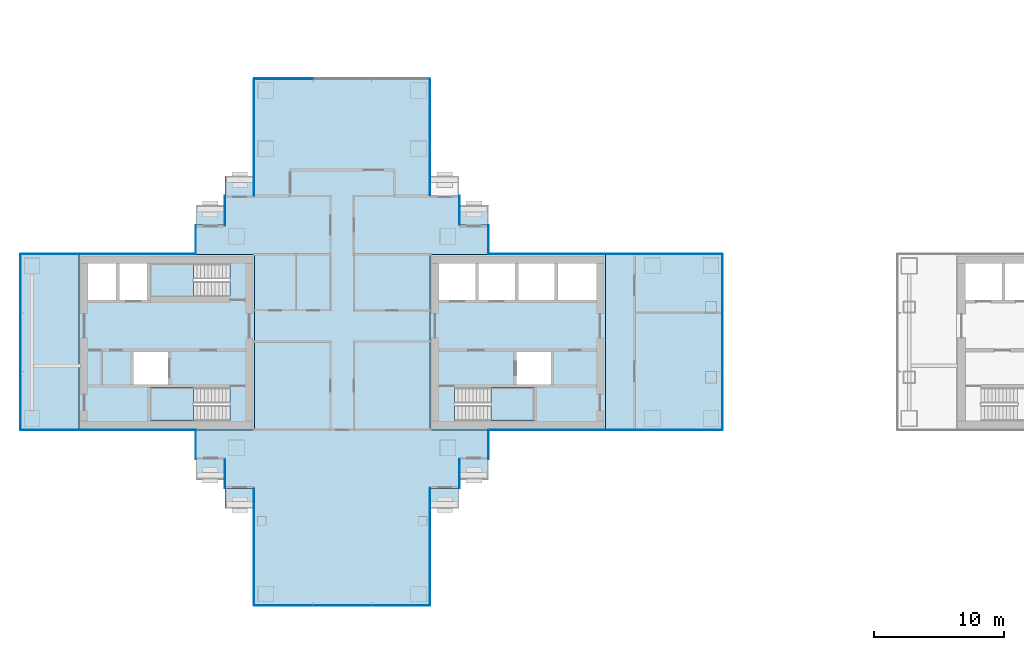
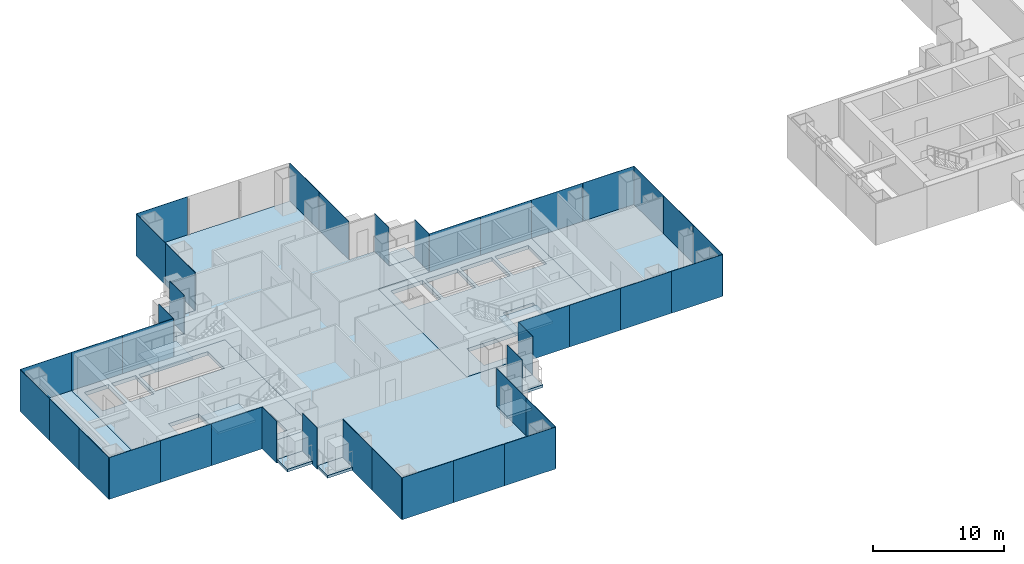
# One storey, part 9 of 20: 40 plates, 15 slabs, 23 elements without a shape of their own.
"""IFC4 building model written with IfcOpenShell, lengths in metres."""

from ifc_helpers import new_model, si_unit, direction, frame, origin, origin_2d, place, context, subcontext, project, spatial, polyline, rectangle, outline, extrude, material, layer, layer_set, type_object, element, aggregate, save


model = new_model("IFC4")

# Units and contexts
model_context = context("Model", 3, precision=1e-05, world=origin(), true_north=direction((0.0, 1.0)))
body_context = subcontext(model_context, "Body", "Model", "MODEL_VIEW")
ifc_project = project(units=[si_unit("LENGTHUNIT", "METRE"), si_unit("AREAUNIT", "SQUARE_METRE"), si_unit("VOLUMEUNIT", "CUBIC_METRE"), si_unit("PLANEANGLEUNIT", "RADIAN"), si_unit("MASSUNIT", "GRAM", prefix="KILO")], contexts=[model_context])

# Site, building, storey
site_placement = place(None, origin())
site = spatial("IfcSite", under=ifc_project, at=site_placement, CompositionType="ELEMENT")
building_placement = place(site_placement, origin())
building = spatial("IfcBuilding", under=site, at=building_placement, Name="Shamsa Quay Exchange Towers", CompositionType="ELEMENT")
storey_placement = place(building_placement, frame((0.0, 0.0, 124.800048828125)))
storey = spatial("IfcBuildingStorey", under=building, at=storey_placement, Name="L29", CompositionType="ELEMENT", Elevation=124.800048828125)

# Slabs
ifc_material_1 = material(Name="Precast concrete C40/50", Category="concrete")
ifc_layer_1 = layer(ifc_material_1, 0.25)
ifc_layer_set_1 = layer_set([ifc_layer_1], Name="BALCONY SLAB 250")
slab_type_1 = type_object("IfcSlabType", Name="BALCONY SLAB 250", PredefinedType="FLOOR", material=ifc_layer_set_1)
slab_1_placement = place(storey_placement, frame((0.0, 0.0, -0.25)))
element("IfcSlab", 1, at=slab_1_placement, inside=storey, type_object=slab_type_1, Name="Balcony T1-PKEN L29", PredefinedType="FLOOR", context=body_context, shape_type="SweptSolid", body=[
    extrude(outline(polyline([(-22.5, 9.0), (-24.7119140625, 9.0), (-24.7119140625, 10.550048828125), (-22.5, 10.550048828125), (-22.5, 9.0)])), origin(), (0.0, 0.0, 1.0), 0.25),
])
slab_2_placement = place(storey_placement, frame((0.0, 0.0, -0.25)))
element("IfcSlab", 2, at=slab_2_placement, inside=storey, type_object=slab_type_1, Name="Balcony T1-PKES L29", PredefinedType="FLOOR", context=body_context, shape_type="SweptSolid", body=[
    extrude(outline(polyline([(-24.7119140625, -9.0), (-22.5, -9.0), (-22.5, -10.550048828125), (-24.7119140625, -10.550048828125), (-24.7119140625, -9.0)])), origin(), (0.0, 0.0, 1.0), 0.25),
])
slab_3_placement = place(storey_placement, frame((0.0, 0.0, -0.25)))
element("IfcSlab", 3, at=slab_3_placement, inside=storey, type_object=slab_type_1, Name="Balcony T1-PKES L29", PredefinedType="FLOOR", context=body_context, shape_type="SweptSolid", body=[
    extrude(outline(polyline([(-26.9619140625, -11.25), (-24.75, -11.25), (-24.75, -12.800048828125), (-26.9619140625, -12.800048828125), (-26.9619140625, -11.25)])), origin(), (0.0, 0.0, 1.0), 0.25),
])
slab_4_placement = place(storey_placement, frame((0.0, 0.0, -0.25)))
element("IfcSlab", 4, at=slab_4_placement, inside=storey, type_object=slab_type_1, Name="Balcony T1-PKWN L29", PredefinedType="FLOOR", context=body_context, shape_type="SweptSolid", body=[
    extrude(outline(polyline([(-40.5380859375, 11.25), (-42.75, 11.25), (-42.75, 12.800048828125), (-40.5380859375, 12.800048828125), (-40.5380859375, 11.25)])), origin(), (0.0, 0.0, 1.0), 0.25),
])
slab_5_placement = place(storey_placement, frame((0.0, 0.0, -0.25)))
element("IfcSlab", 5, at=slab_5_placement, inside=storey, type_object=slab_type_1, Name="Balcony T1-PKWN L29", PredefinedType="FLOOR", context=body_context, shape_type="SweptSolid", body=[
    extrude(outline(polyline([(-42.7880859375, 9.0), (-45.0, 9.0), (-45.0, 10.550048828125), (-42.7880859375, 10.550048828125), (-42.7880859375, 9.0)])), origin(), (0.0, 0.0, 1.0), 0.25),
])
slab_6_placement = place(storey_placement, frame((0.0, 0.0, -0.25)))
element("IfcSlab", 6, at=slab_6_placement, inside=storey, type_object=slab_type_1, Name="Balcony T1-PKWS L29", PredefinedType="FLOOR", context=body_context, shape_type="SweptSolid", body=[
    extrude(outline(polyline([(-45.0, -9.0), (-42.7880859375, -9.0), (-42.7880859375, -10.550048828125), (-45.0, -10.550048828125), (-45.0, -9.0)])), origin(), (0.0, 0.0, 1.0), 0.25),
])
slab_7_placement = place(storey_placement, frame((0.0, 0.0, -0.25)))
element("IfcSlab", 7, at=slab_7_placement, inside=storey, type_object=slab_type_1, Name="Balcony T1-PKWS L29", PredefinedType="FLOOR", context=body_context, shape_type="SweptSolid", body=[
    extrude(outline(polyline([(-42.75, -11.25), (-40.5380859375, -11.25), (-40.5380859375, -12.800048828125), (-42.75, -12.800048828125), (-42.75, -11.25)])), origin(), (0.0, 0.0, 1.0), 0.25),
])
ifc_material_2 = material(Name="Concrete C50/60", Category="concrete")
ifc_layer_2 = layer(ifc_material_2, 0.35009765625)
ifc_layer_set_2 = layer_set([ifc_layer_2], Name="CORE FLOOR 350 C50/60")
slab_type_2 = type_object("IfcSlabType", Name="CORE FLOOR 350 C50/60", PredefinedType="FLOOR", material=ifc_layer_set_2)
slab_8_placement = place(storey_placement, frame((0.0, 0.0, -0.35009765625)))
element("IfcSlab", 8, at=slab_8_placement, inside=storey, type_object=slab_type_2, Name="Core floor T1A", PredefinedType="FLOOR", context=body_context, shape_type="SweptSolid", body=[
    extrude(outline(polyline([(-27.0, -6.75), (-13.5, -6.75), (-13.5, 6.75), (-27.0, 6.75), (-27.0, -6.75)]), holes=[polyline([(-25.099365234375, -6.050048828125), (-25.099365234375, -3.5), (-19.0, -3.5), (-19.0, -6.050048828125), (-25.099365234375, -6.050048828125)]), polyline([(-26.300048828125, 3.25), (-26.300048828125, 6.050048828125), (-23.5, 6.050048828125), (-23.5, 3.25), (-26.300048828125, 3.25)]), polyline([(-23.25, 3.25), (-23.25, 6.050048828125), (-20.449951171875, 6.050048828125), (-20.449951171875, 3.25), (-23.25, 3.25)]), polyline([(-20.199951171875, 3.25), (-20.199951171875, 6.050048828125), (-17.39990234375, 6.050048828125), (-17.39990234375, 3.25), (-20.199951171875, 3.25)]), polyline([(-17.14990234375, 3.25), (-17.14990234375, 6.050048828125), (-14.199951171875, 6.050048828125), (-14.199951171875, 3.25), (-17.14990234375, 3.25)]), polyline([(-20.35009765625, -3.25), (-20.35009765625, -0.75), (-17.699951171875, -0.75), (-17.699951171875, -3.25), (-20.35009765625, -3.25)])]), origin(), (0.0, 0.0, 1.0), 0.35009765625),
])
slab_9_placement = place(storey_placement, frame((0.0, 0.0, -0.35009765625)))
element("IfcSlab", 9, at=slab_9_placement, inside=storey, type_object=slab_type_2, Name="Core floor T1B", PredefinedType="FLOOR", context=body_context, shape_type="SweptSolid", body=[
    extrude(outline(polyline([(-40.5, -6.75), (-40.5, 6.75), (-54.0, 6.75), (-54.0, -6.75), (-40.5, -6.75)]), holes=[polyline([(-42.400634765625, -3.5), (-42.400634765625, -6.050048828125), (-48.5, -6.050048828125), (-48.5, -3.5), (-42.400634765625, -3.5)]), polyline([(-42.400634765625, 6.050048828125), (-42.400634765625, 3.5), (-48.5, 3.5), (-48.5, 6.050048828125), (-42.400634765625, 6.050048828125)]), polyline([(-48.75, 3.25), (-50.89990234375, 3.25), (-50.89990234375, 6.050048828125), (-48.75, 6.050048828125), (-48.75, 3.25)]), polyline([(-51.14990234375, 3.25), (-53.300048828125, 3.25), (-53.300048828125, 6.050048828125), (-51.14990234375, 6.050048828125), (-51.14990234375, 3.25)]), polyline([(-47.14990234375, -3.25), (-49.800048828125, -3.25), (-49.800048828125, -0.75), (-47.14990234375, -0.75), (-47.14990234375, -3.25)])]), origin(), (0.0, 0.0, 1.0), 0.35009765625),
])

# Stair, slab
ifc_material_3 = material(Name="Concrete C40/50", Category="concrete")
stair_type = type_object("IfcStairType", Name="EXIT STAIR 22 RISERS 177 MM", PredefinedType="HALF_TURN_STAIR", material=ifc_material_3)
stair_1_placement = place(storey_placement, origin())
stair_1 = element("IfcStair", 10, at=stair_1_placement, inside=storey, type_object=stair_type, Name="L29 Exit stair ST1", PredefinedType="HALF_TURN_STAIR")
ifc_layer_3 = layer(ifc_material_3, 0.199951171875)
ifc_layer_set_3 = layer_set([ifc_layer_3], Name="CORE STAIR LANDING")
slab_type_3 = type_object("IfcSlabType", Name="CORE STAIR LANDING", PredefinedType="LANDING", material=ifc_layer_set_3)
slab_10_placement = place(storey_placement, frame((0.0, 0.0, 1.75)))
slab_10 = element("IfcSlab", 11, at=slab_10_placement, type_object=slab_type_3, Name="ST1 landing 1", PredefinedType="LANDING", context=body_context, shape_type="SweptSolid", body=[
    extrude(outline(polyline([(-22.300048828125, -6.050048828125), (-19.0, -6.050048828125), (-19.0, -3.5), (-22.300048828125, -3.5), (-22.300048828125, -6.050048828125)])), origin(), (0.0, 0.0, 1.0), 0.199951171875),
])
aggregate(stair_1, [slab_10])

stair_2_placement = place(storey_placement, origin())
stair_2 = element("IfcStair", 12, at=stair_2_placement, inside=storey, type_object=stair_type, Name="L29 Exit stair ST2", PredefinedType="HALF_TURN_STAIR")
slab_11_placement = place(storey_placement, frame((0.0, 0.0, 1.75)))
slab_11 = element("IfcSlab", 13, at=slab_11_placement, type_object=slab_type_3, Name="ST2 landing 1", PredefinedType="LANDING", context=body_context, shape_type="SweptSolid", body=[
    extrude(outline(polyline([(-45.199951171875, -3.5), (-48.5, -3.5), (-48.5, -6.050048828125), (-45.199951171875, -6.050048828125), (-45.199951171875, -3.5)])), origin(), (0.0, 0.0, 1.0), 0.199951171875),
])
aggregate(stair_2, [slab_11])

stair_3_placement = place(storey_placement, origin())
stair_3 = element("IfcStair", 14, at=stair_3_placement, inside=storey, type_object=stair_type, Name="L29 Exit stair ST3", PredefinedType="HALF_TURN_STAIR")
slab_12_placement = place(storey_placement, frame((0.0, 0.0, 1.75)))
slab_12 = element("IfcSlab", 15, at=slab_12_placement, type_object=slab_type_3, Name="ST3 landing 1", PredefinedType="LANDING", context=body_context, shape_type="SweptSolid", body=[
    extrude(outline(polyline([(-45.199951171875, 6.050048828125), (-48.5, 6.050048828125), (-48.5, 3.5), (-45.199951171875, 3.5), (-45.199951171875, 6.050048828125)])), origin(), (0.0, 0.0, 1.0), 0.199951171875),
])
aggregate(stair_3, [slab_12])

# Curtain wall, plates
ifc_material_4 = material(Name="Aluminium EN AW-6063 T6, black anodised", Category="aluminium")
ifc_layer_4 = layer(ifc_material_4, 0.280029296875)
ifc_layer_set_4 = layer_set([ifc_layer_4], Name="CW-1 UNITISED VISION GLASS")
curtain_wall_type_1 = type_object("IfcCurtainWallType", Name="CW-1 UNITISED VISION GLASS", PredefinedType="NOTDEFINED", material=ifc_layer_set_4)
curtain_wall_1_placement = place(storey_placement, origin())
curtain_wall_1 = element("IfcCurtainWall", 16, at=curtain_wall_1_placement, inside=storey, type_object=curtain_wall_type_1, Name="CW1 T1-FLK-V-W L29", PredefinedType="NOTDEFINED")
ifc_material_5 = material(Name="Glass, laminated, dark tinted", Category="glass")
ifc_layer_5 = layer(ifc_material_5, 0.0400390625)
ifc_layer_set_5 = layer_set([ifc_layer_5], Name="CW-1 VISION GLASS 40")
plate_type_1 = type_object("IfcPlateType", Name="CW-1 VISION GLASS 40", PredefinedType="CURTAIN_PANEL", material=ifc_layer_set_5)
plate_1_placement = place(storey_placement, frame((-40.52001953125, -13.52587890625, -0.35009765625), z_axis=(0.0, 0.0, 1.0), x_axis=(0.0, -1.0, 0.0)))
plate_1 = element("IfcPlate", 17, at=plate_1_placement, type_object=plate_type_1, Name="CW1 glass panel", PredefinedType="CURTAIN_PANEL", context=body_context, shape_type="SweptSolid", body=[
    extrude(rectangle(XDim=4.47607421875, YDim=0.0400390625, at=origin_2d()), origin(), (0.0, 0.0, 1.0), 3.89990234375),
])
plate_2_placement = place(storey_placement, frame((-40.52001953125, -18.011962890625, -0.35009765625), z_axis=(0.0, 0.0, 1.0), x_axis=(0.0, -1.0, 0.0)))
plate_2 = element("IfcPlate", 18, at=plate_2_placement, type_object=plate_type_1, Name="CW1 glass panel", PredefinedType="CURTAIN_PANEL", context=body_context, shape_type="SweptSolid", body=[
    extrude(rectangle(XDim=4.47607421875, YDim=0.0400390625, at=origin_2d()), origin(), (0.0, 0.0, 1.0), 3.89990234375),
])
aggregate(curtain_wall_1, [plate_1, plate_2])

curtain_wall_2_placement = place(storey_placement, origin())
curtain_wall_2 = element("IfcCurtainWall", 19, at=curtain_wall_2_placement, inside=storey, type_object=curtain_wall_type_1, Name="CW1 T1-END-V- L29", PredefinedType="NOTDEFINED")
plate_3_placement = place(storey_placement, frame((-38.25244140625, -20.27001953125, -0.35009765625)))
plate_3 = element("IfcPlate", 20, at=plate_3_placement, type_object=plate_type_1, Name="CW1 glass panel", PredefinedType="CURTAIN_PANEL", context=body_context, shape_type="SweptSolid", body=[
    extrude(rectangle(XDim=4.4951171875, YDim=0.0400390625, at=origin_2d()), origin(), (0.0, 0.0, 1.0), 3.89990234375),
])
plate_4_placement = place(storey_placement, frame((-33.75, -20.27001953125, -0.35009765625)))
plate_4 = element("IfcPlate", 21, at=plate_4_placement, type_object=plate_type_1, Name="CW1 glass panel", PredefinedType="CURTAIN_PANEL", context=body_context, shape_type="SweptSolid", body=[
    extrude(rectangle(XDim=4.489990234375, YDim=0.0400390625, at=origin_2d()), origin(), (0.0, 0.0, 1.0), 3.89990234375),
])
plate_5_placement = place(storey_placement, frame((-29.24755859375, -20.27001953125, -0.35009765625)))
plate_5 = element("IfcPlate", 22, at=plate_5_placement, type_object=plate_type_1, Name="CW1 glass panel", PredefinedType="CURTAIN_PANEL", context=body_context, shape_type="SweptSolid", body=[
    extrude(rectangle(XDim=4.4951171875, YDim=0.0400390625, at=origin_2d()), origin(), (0.0, 0.0, 1.0), 3.89990234375),
])
aggregate(curtain_wall_2, [plate_3, plate_4, plate_5])

curtain_wall_3_placement = place(storey_placement, origin())
curtain_wall_3 = element("IfcCurtainWall", 23, at=curtain_wall_3_placement, inside=storey, type_object=curtain_wall_type_1, Name="CW1 T1-FLK-V-E L29", PredefinedType="NOTDEFINED")
plate_6_placement = place(storey_placement, frame((-26.97998046875, -18.00244140625, -0.35009765625), z_axis=(0.0, 0.0, 1.0), x_axis=(0.0, 1.0, 0.0)))
plate_6 = element("IfcPlate", 24, at=plate_6_placement, type_object=plate_type_1, Name="CW1 glass panel", PredefinedType="CURTAIN_PANEL", context=body_context, shape_type="SweptSolid", body=[
    extrude(rectangle(XDim=4.4951171875, YDim=0.0400390625, at=origin_2d()), origin(), (0.0, 0.0, 1.0), 3.89990234375),
])
plate_7_placement = place(storey_placement, frame((-26.97998046875, -13.49755859375, -0.35009765625), z_axis=(0.0, 0.0, 1.0), x_axis=(0.0, 1.0, 0.0)))
plate_7 = element("IfcPlate", 25, at=plate_7_placement, type_object=plate_type_1, Name="CW1 glass panel", PredefinedType="CURTAIN_PANEL", context=body_context, shape_type="SweptSolid", body=[
    extrude(rectangle(XDim=4.4951171875, YDim=0.0400390625, at=origin_2d()), origin(), (0.0, 0.0, 1.0), 3.89990234375),
])
aggregate(curtain_wall_3, [plate_6, plate_7])

curtain_wall_4_placement = place(storey_placement, origin())
curtain_wall_4 = element("IfcCurtainWall", 26, at=curtain_wall_4_placement, inside=storey, type_object=curtain_wall_type_1, Name="CW1 T1-FLK-U+S L29", PredefinedType="NOTDEFINED")
plate_8_placement = place(storey_placement, frame((-11.25244140625, -6.77001953125, -0.35009765625)))
plate_8 = element("IfcPlate", 27, at=plate_8_placement, type_object=plate_type_1, Name="CW1 glass panel", PredefinedType="CURTAIN_PANEL", context=body_context, shape_type="SweptSolid", body=[
    extrude(rectangle(XDim=4.4951171875, YDim=0.0400390625, at=origin_2d()), origin(), (0.0, 0.0, 1.0), 3.89990234375),
])
plate_9_placement = place(storey_placement, frame((-6.74755859375, -6.77001953125, -0.35009765625)))
plate_9 = element("IfcPlate", 28, at=plate_9_placement, type_object=plate_type_1, Name="CW1 glass panel", PredefinedType="CURTAIN_PANEL", context=body_context, shape_type="SweptSolid", body=[
    extrude(rectangle(XDim=4.4951171875, YDim=0.0400390625, at=origin_2d()), origin(), (0.0, 0.0, 1.0), 3.89990234375),
])
aggregate(curtain_wall_4, [plate_8, plate_9])

curtain_wall_5_placement = place(storey_placement, origin())
curtain_wall_5 = element("IfcCurtainWall", 29, at=curtain_wall_5_placement, inside=storey, type_object=curtain_wall_type_1, Name="CW1 T1-END-U+ L29", PredefinedType="NOTDEFINED")
plate_10_placement = place(storey_placement, frame((-4.47998046875, -4.50244140625, -0.35009765625), z_axis=(0.0, 0.0, 1.0), x_axis=(0.0, 1.0, 0.0)))
plate_10 = element("IfcPlate", 30, at=plate_10_placement, type_object=plate_type_1, Name="CW1 glass panel", PredefinedType="CURTAIN_PANEL", context=body_context, shape_type="SweptSolid", body=[
    extrude(rectangle(XDim=4.4951171875, YDim=0.0400390625, at=origin_2d()), origin(), (0.0, 0.0, 1.0), 3.89990234375),
])
plate_11_placement = place(storey_placement, frame((-4.47998046875, 0.0, -0.35009765625), z_axis=(0.0, 0.0, 1.0), x_axis=(0.0, 1.0, 0.0)))
plate_11 = element("IfcPlate", 31, at=plate_11_placement, type_object=plate_type_1, Name="CW1 glass panel", PredefinedType="CURTAIN_PANEL", context=body_context, shape_type="SweptSolid", body=[
    extrude(rectangle(XDim=4.489990234375, YDim=0.0400390625, at=origin_2d()), origin(), (0.0, 0.0, 1.0), 3.89990234375),
])
plate_12_placement = place(storey_placement, frame((-4.47998046875, 4.50244140625, -0.35009765625), z_axis=(0.0, 0.0, 1.0), x_axis=(0.0, 1.0, 0.0)))
plate_12 = element("IfcPlate", 32, at=plate_12_placement, type_object=plate_type_1, Name="CW1 glass panel", PredefinedType="CURTAIN_PANEL", context=body_context, shape_type="SweptSolid", body=[
    extrude(rectangle(XDim=4.4951171875, YDim=0.0400390625, at=origin_2d()), origin(), (0.0, 0.0, 1.0), 3.89990234375),
])
aggregate(curtain_wall_5, [plate_10, plate_11, plate_12])

curtain_wall_6_placement = place(storey_placement, origin())
curtain_wall_6 = element("IfcCurtainWall", 33, at=curtain_wall_6_placement, inside=storey, type_object=curtain_wall_type_1, Name="CW1 T1-FLK-U+N L29", PredefinedType="NOTDEFINED")
plate_13_placement = place(storey_placement, frame((-6.74755859375, 6.77001953125, -0.35009765625), z_axis=(0.0, 0.0, 1.0), x_axis=(-1.0, 0.0, 0.0)))
plate_13 = element("IfcPlate", 34, at=plate_13_placement, type_object=plate_type_1, Name="CW1 glass panel", PredefinedType="CURTAIN_PANEL", context=body_context, shape_type="SweptSolid", body=[
    extrude(rectangle(XDim=4.4951171875, YDim=0.0400390625, at=origin_2d()), origin(), (0.0, 0.0, 1.0), 3.89990234375),
])
plate_14_placement = place(storey_placement, frame((-11.25244140625, 6.77001953125, -0.35009765625), z_axis=(0.0, 0.0, 1.0), x_axis=(-1.0, 0.0, 0.0)))
plate_14 = element("IfcPlate", 35, at=plate_14_placement, type_object=plate_type_1, Name="CW1 glass panel", PredefinedType="CURTAIN_PANEL", context=body_context, shape_type="SweptSolid", body=[
    extrude(rectangle(XDim=4.4951171875, YDim=0.0400390625, at=origin_2d()), origin(), (0.0, 0.0, 1.0), 3.89990234375),
])
aggregate(curtain_wall_6, [plate_13, plate_14])

curtain_wall_7_placement = place(storey_placement, origin())
curtain_wall_7 = element("IfcCurtainWall", 36, at=curtain_wall_7_placement, inside=storey, type_object=curtain_wall_type_1, Name="CW1 T1-FLK-V+E L29", PredefinedType="NOTDEFINED")
plate_15_placement = place(storey_placement, frame((-26.97998046875, 13.52587890625, -0.35009765625), z_axis=(0.0, 0.0, 1.0), x_axis=(0.0, 1.0, 0.0)))
plate_15 = element("IfcPlate", 37, at=plate_15_placement, type_object=plate_type_1, Name="CW1 glass panel", PredefinedType="CURTAIN_PANEL", context=body_context, shape_type="SweptSolid", body=[
    extrude(rectangle(XDim=4.47607421875, YDim=0.0400390625, at=origin_2d()), origin(), (0.0, 0.0, 1.0), 3.89990234375),
])
plate_16_placement = place(storey_placement, frame((-26.97998046875, 18.011962890625, -0.35009765625), z_axis=(0.0, 0.0, 1.0), x_axis=(0.0, 1.0, 0.0)))
plate_16 = element("IfcPlate", 38, at=plate_16_placement, type_object=plate_type_1, Name="CW1 glass panel", PredefinedType="CURTAIN_PANEL", context=body_context, shape_type="SweptSolid", body=[
    extrude(rectangle(XDim=4.47607421875, YDim=0.0400390625, at=origin_2d()), origin(), (0.0, 0.0, 1.0), 3.89990234375),
])
aggregate(curtain_wall_7, [plate_15, plate_16])

# Curtain wall, plate
curtain_wall_8_placement = place(storey_placement, origin())
curtain_wall_8 = element("IfcCurtainWall", 39, at=curtain_wall_8_placement, inside=storey, type_object=curtain_wall_type_1, Name="CW1 T1-END-V+ L29", PredefinedType="NOTDEFINED")
plate_17_placement = place(storey_placement, frame((-38.25244140625, 20.27001953125, -0.35009765625), z_axis=(0.0, 0.0, 1.0), x_axis=(-1.0, 0.0, 0.0)))
plate_17 = element("IfcPlate", 40, at=plate_17_placement, type_object=plate_type_1, Name="CW1 glass panel", PredefinedType="CURTAIN_PANEL", context=body_context, shape_type="SweptSolid", body=[
    extrude(rectangle(XDim=4.4951171875, YDim=0.0400390625, at=origin_2d()), origin(), (0.0, 0.0, 1.0), 3.89990234375),
])
aggregate(curtain_wall_8, [plate_17])

# Curtain wall, plates
curtain_wall_9_placement = place(storey_placement, origin())
curtain_wall_9 = element("IfcCurtainWall", 41, at=curtain_wall_9_placement, inside=storey, type_object=curtain_wall_type_1, Name="CW1 T1-FLK-V+W L29", PredefinedType="NOTDEFINED")
plate_18_placement = place(storey_placement, frame((-40.52001953125, 18.00244140625, -0.35009765625), z_axis=(0.0, 0.0, 1.0), x_axis=(0.0, -1.0, 0.0)))
plate_18 = element("IfcPlate", 42, at=plate_18_placement, type_object=plate_type_1, Name="CW1 glass panel", PredefinedType="CURTAIN_PANEL", context=body_context, shape_type="SweptSolid", body=[
    extrude(rectangle(XDim=4.4951171875, YDim=0.0400390625, at=origin_2d()), origin(), (0.0, 0.0, 1.0), 3.89990234375),
])
plate_19_placement = place(storey_placement, frame((-40.52001953125, 13.49755859375, -0.35009765625), z_axis=(0.0, 0.0, 1.0), x_axis=(0.0, -1.0, 0.0)))
plate_19 = element("IfcPlate", 43, at=plate_19_placement, type_object=plate_type_1, Name="CW1 glass panel", PredefinedType="CURTAIN_PANEL", context=body_context, shape_type="SweptSolid", body=[
    extrude(rectangle(XDim=4.4951171875, YDim=0.0400390625, at=origin_2d()), origin(), (0.0, 0.0, 1.0), 3.89990234375),
])
aggregate(curtain_wall_9, [plate_18, plate_19])

# Curtain wall, plate
curtain_wall_10_placement = place(storey_placement, origin())
curtain_wall_10 = element("IfcCurtainWall", 44, at=curtain_wall_10_placement, inside=storey, type_object=curtain_wall_type_1, Name="CW1 T1-FLK-U-N L29", PredefinedType="NOTDEFINED")
plate_20_placement = place(storey_placement, frame((-56.25, 6.77001953125, -0.35009765625), z_axis=(0.0, 0.0, 1.0), x_axis=(-1.0, 0.0, 0.0)))
plate_20 = element("IfcPlate", 45, at=plate_20_placement, type_object=plate_type_1, Name="CW1 glass panel", PredefinedType="CURTAIN_PANEL", context=body_context, shape_type="SweptSolid", body=[
    extrude(rectangle(XDim=4.5, YDim=0.0400390625, at=origin_2d()), origin(), (0.0, 0.0, 1.0), 3.89990234375),
])
aggregate(curtain_wall_10, [plate_20])

# Curtain wall, plates
curtain_wall_11_placement = place(storey_placement, origin())
curtain_wall_11 = element("IfcCurtainWall", 46, at=curtain_wall_11_placement, inside=storey, type_object=curtain_wall_type_1, Name="CW1 T1-END-U- L29", PredefinedType="NOTDEFINED")
plate_21_placement = place(storey_placement, frame((-58.52001953125, 4.50244140625, -0.35009765625), z_axis=(0.0, 0.0, 1.0), x_axis=(0.0, -1.0, 0.0)))
plate_21 = element("IfcPlate", 47, at=plate_21_placement, type_object=plate_type_1, Name="CW1 glass panel", PredefinedType="CURTAIN_PANEL", context=body_context, shape_type="SweptSolid", body=[
    extrude(rectangle(XDim=4.4951171875, YDim=0.0400390625, at=origin_2d()), origin(), (0.0, 0.0, 1.0), 3.89990234375),
])
plate_22_placement = place(storey_placement, frame((-58.52001953125, 0.0, -0.35009765625), z_axis=(0.0, 0.0, 1.0), x_axis=(0.0, -1.0, 0.0)))
plate_22 = element("IfcPlate", 48, at=plate_22_placement, type_object=plate_type_1, Name="CW1 glass panel", PredefinedType="CURTAIN_PANEL", context=body_context, shape_type="SweptSolid", body=[
    extrude(rectangle(XDim=4.489990234375, YDim=0.0400390625, at=origin_2d()), origin(), (0.0, 0.0, 1.0), 3.89990234375),
])
plate_23_placement = place(storey_placement, frame((-58.52001953125, -4.50244140625, -0.35009765625), z_axis=(0.0, 0.0, 1.0), x_axis=(0.0, -1.0, 0.0)))
plate_23 = element("IfcPlate", 49, at=plate_23_placement, type_object=plate_type_1, Name="CW1 glass panel", PredefinedType="CURTAIN_PANEL", context=body_context, shape_type="SweptSolid", body=[
    extrude(rectangle(XDim=4.4951171875, YDim=0.0400390625, at=origin_2d()), origin(), (0.0, 0.0, 1.0), 3.89990234375),
])
aggregate(curtain_wall_11, [plate_21, plate_22, plate_23])

# Curtain wall, plate
curtain_wall_12_placement = place(storey_placement, origin())
curtain_wall_12 = element("IfcCurtainWall", 50, at=curtain_wall_12_placement, inside=storey, type_object=curtain_wall_type_1, Name="CW1 T1-FLK-U-S L29", PredefinedType="NOTDEFINED")
plate_24_placement = place(storey_placement, frame((-56.25, -6.77001953125, -0.35009765625)))
plate_24 = element("IfcPlate", 51, at=plate_24_placement, type_object=plate_type_1, Name="CW1 glass panel", PredefinedType="CURTAIN_PANEL", context=body_context, shape_type="SweptSolid", body=[
    extrude(rectangle(XDim=4.5, YDim=0.0400390625, at=origin_2d()), origin(), (0.0, 0.0, 1.0), 3.89990234375),
])
aggregate(curtain_wall_12, [plate_24])

# Curtain wall, plates
ifc_layer_6 = layer(ifc_material_4, 0.303955078125)
ifc_layer_set_6 = layer_set([ifc_layer_6], Name="CW-2 UNITISED OPAQUE SPANDREL GLASS")
curtain_wall_type_2 = type_object("IfcCurtainWallType", Name="CW-2 UNITISED OPAQUE SPANDREL GLASS", PredefinedType="NOTDEFINED", material=ifc_layer_set_6)
curtain_wall_13_placement = place(storey_placement, origin())
curtain_wall_13 = element("IfcCurtainWall", 52, at=curtain_wall_13_placement, inside=storey, type_object=curtain_wall_type_2, Name="CW2 T1-FLK-U+S L29", PredefinedType="NOTDEFINED")
ifc_material_6 = material(Name="Glass, laminated, black enamelled opaque", Category="glass")
ifc_layer_7 = layer(ifc_material_6, 0.0439453125)
ifc_layer_set_7 = layer_set([ifc_layer_7], Name="CW-2 SPANDREL GLASS 44")
plate_type_2 = type_object("IfcPlateType", Name="CW-2 SPANDREL GLASS 44", PredefinedType="CURTAIN_PANEL", material=ifc_layer_set_7)
plate_25_placement = place(storey_placement, frame((-20.22412109375, -6.77197265625, -0.35009765625)))
plate_25 = element("IfcPlate", 53, at=plate_25_placement, type_object=plate_type_2, Name="CW2 glass panel", PredefinedType="CURTAIN_PANEL", context=body_context, shape_type="SweptSolid", body=[
    extrude(rectangle(XDim=4.47607421875, YDim=0.0439453125, at=origin_2d()), origin(), (0.0, 0.0, 1.0), 3.89990234375),
])
plate_26_placement = place(storey_placement, frame((-15.738037109375, -6.77197265625, -0.35009765625)))
plate_26 = element("IfcPlate", 54, at=plate_26_placement, type_object=plate_type_2, Name="CW2 glass panel", PredefinedType="CURTAIN_PANEL", context=body_context, shape_type="SweptSolid", body=[
    extrude(rectangle(XDim=4.47607421875, YDim=0.0439453125, at=origin_2d()), origin(), (0.0, 0.0, 1.0), 3.89990234375),
])
aggregate(curtain_wall_13, [plate_25, plate_26])

curtain_wall_14_placement = place(storey_placement, origin())
curtain_wall_14 = element("IfcCurtainWall", 55, at=curtain_wall_14_placement, inside=storey, type_object=curtain_wall_type_2, Name="CW2 T1-FLK-U+N L29", PredefinedType="NOTDEFINED")
plate_27_placement = place(storey_placement, frame((-15.74755859375, 6.77197265625, -0.35009765625), z_axis=(0.0, 0.0, 1.0), x_axis=(-1.0, 0.0, 0.0)))
plate_27 = element("IfcPlate", 56, at=plate_27_placement, type_object=plate_type_2, Name="CW2 glass panel", PredefinedType="CURTAIN_PANEL", context=body_context, shape_type="SweptSolid", body=[
    extrude(rectangle(XDim=4.4951171875, YDim=0.0439453125, at=origin_2d()), origin(), (0.0, 0.0, 1.0), 3.89990234375),
])
plate_28_placement = place(storey_placement, frame((-20.25244140625, 6.77197265625, -0.35009765625), z_axis=(0.0, 0.0, 1.0), x_axis=(-1.0, 0.0, 0.0)))
plate_28 = element("IfcPlate", 57, at=plate_28_placement, type_object=plate_type_2, Name="CW2 glass panel", PredefinedType="CURTAIN_PANEL", context=body_context, shape_type="SweptSolid", body=[
    extrude(rectangle(XDim=4.4951171875, YDim=0.0439453125, at=origin_2d()), origin(), (0.0, 0.0, 1.0), 3.89990234375),
])
aggregate(curtain_wall_14, [plate_27, plate_28])

curtain_wall_15_placement = place(storey_placement, origin())
curtain_wall_15 = element("IfcCurtainWall", 58, at=curtain_wall_15_placement, inside=storey, type_object=curtain_wall_type_2, Name="CW2 T1-FLK-U-N L29", PredefinedType="NOTDEFINED")
plate_29_placement = place(storey_placement, frame((-47.27587890625, 6.77197265625, -0.35009765625), z_axis=(0.0, 0.0, 1.0), x_axis=(-1.0, 0.0, 0.0)))
plate_29 = element("IfcPlate", 59, at=plate_29_placement, type_object=plate_type_2, Name="CW2 glass panel", PredefinedType="CURTAIN_PANEL", context=body_context, shape_type="SweptSolid", body=[
    extrude(rectangle(XDim=4.47607421875, YDim=0.0439453125, at=origin_2d()), origin(), (0.0, 0.0, 1.0), 3.89990234375),
])
plate_30_placement = place(storey_placement, frame((-51.761962890625, 6.77197265625, -0.35009765625), z_axis=(0.0, 0.0, 1.0), x_axis=(-1.0, 0.0, 0.0)))
plate_30 = element("IfcPlate", 60, at=plate_30_placement, type_object=plate_type_2, Name="CW2 glass panel", PredefinedType="CURTAIN_PANEL", context=body_context, shape_type="SweptSolid", body=[
    extrude(rectangle(XDim=4.47607421875, YDim=0.0439453125, at=origin_2d()), origin(), (0.0, 0.0, 1.0), 3.89990234375),
])
aggregate(curtain_wall_15, [plate_29, plate_30])

curtain_wall_16_placement = place(storey_placement, origin())
curtain_wall_16 = element("IfcCurtainWall", 61, at=curtain_wall_16_placement, inside=storey, type_object=curtain_wall_type_2, Name="CW2 T1-FLK-U-S L29", PredefinedType="NOTDEFINED")
plate_31_placement = place(storey_placement, frame((-51.75244140625, -6.77197265625, -0.35009765625)))
plate_31 = element("IfcPlate", 62, at=plate_31_placement, type_object=plate_type_2, Name="CW2 glass panel", PredefinedType="CURTAIN_PANEL", context=body_context, shape_type="SweptSolid", body=[
    extrude(rectangle(XDim=4.4951171875, YDim=0.0439453125, at=origin_2d()), origin(), (0.0, 0.0, 1.0), 3.89990234375),
])
plate_32_placement = place(storey_placement, frame((-47.24755859375, -6.77197265625, -0.35009765625)))
plate_32 = element("IfcPlate", 63, at=plate_32_placement, type_object=plate_type_2, Name="CW2 glass panel", PredefinedType="CURTAIN_PANEL", context=body_context, shape_type="SweptSolid", body=[
    extrude(rectangle(XDim=4.4951171875, YDim=0.0439453125, at=origin_2d()), origin(), (0.0, 0.0, 1.0), 3.89990234375),
])
aggregate(curtain_wall_16, [plate_31, plate_32])

ifc_layer_8 = layer(ifc_material_4, 0.256103515625)
ifc_layer_set_8 = layer_set([ifc_layer_8], Name="CW-4 POCKET SERRATED GLAZING")
curtain_wall_type_3 = type_object("IfcCurtainWallType", Name="CW-4 POCKET SERRATED GLAZING", PredefinedType="NOTDEFINED", material=ifc_layer_set_8)
curtain_wall_17_placement = place(storey_placement, origin())
curtain_wall_17 = element("IfcCurtainWall", 64, at=curtain_wall_17_placement, inside=storey, type_object=curtain_wall_type_3, Name="CW4 PKWS L29", PredefinedType="NOTDEFINED")
ifc_layer_9 = layer(ifc_material_5, 0.035888671875)
ifc_layer_set_9 = layer_set([ifc_layer_9], Name="CW-4 POCKET GLASS 36")
plate_type_3 = type_object("IfcPlateType", Name="CW-4 POCKET GLASS 36", PredefinedType="CURTAIN_PANEL", material=ifc_layer_set_9)
plate_33_placement = place(storey_placement, frame((-42.76806640625, -10.14404296875, -0.35009765625), z_axis=(0.0, 0.0, 1.0), x_axis=(0.0, -1.0, 0.0)))
plate_33 = element("IfcPlate", 65, at=plate_33_placement, type_object=plate_type_3, Name="CW4 glass panel", PredefinedType="CURTAIN_PANEL", context=body_context, shape_type="SweptSolid", body=[
    extrude(rectangle(XDim=2.2119140625, YDim=0.035888671875, at=origin_2d()), origin(), (0.0, 0.0, 1.0), 3.89990234375),
])
plate_34_placement = place(storey_placement, frame((-45.01806640625, -7.89794921875, -0.35009765625), z_axis=(0.0, 0.0, 1.0), x_axis=(0.0, -1.0, 0.0)))
plate_34 = element("IfcPlate", 66, at=plate_34_placement, type_object=plate_type_3, Name="CW4 glass panel", PredefinedType="CURTAIN_PANEL", context=body_context, shape_type="SweptSolid", body=[
    extrude(rectangle(XDim=2.2041015625, YDim=0.035888671875, at=origin_2d()), origin(), (0.0, 0.0, 1.0), 3.89990234375),
])
aggregate(curtain_wall_17, [plate_33, plate_34])

curtain_wall_18_placement = place(storey_placement, origin())
curtain_wall_18 = element("IfcCurtainWall", 67, at=curtain_wall_18_placement, inside=storey, type_object=curtain_wall_type_3, Name="CW4 PKES L29", PredefinedType="NOTDEFINED")
plate_35_placement = place(storey_placement, frame((-24.73193359375, -10.125, -0.35009765625), z_axis=(0.0, 0.0, 1.0), x_axis=(0.0, 1.0, 0.0)))
plate_35 = element("IfcPlate", 68, at=plate_35_placement, type_object=plate_type_3, Name="CW4 glass panel", PredefinedType="CURTAIN_PANEL", context=body_context, shape_type="SweptSolid", body=[
    extrude(rectangle(XDim=2.25, YDim=0.035888671875, at=origin_2d()), origin(), (0.0, 0.0, 1.0), 3.89990234375),
])
plate_36_placement = place(storey_placement, frame((-22.48193359375, -7.875, -0.35009765625), z_axis=(0.0, 0.0, 1.0), x_axis=(0.0, 1.0, 0.0)))
plate_36 = element("IfcPlate", 69, at=plate_36_placement, type_object=plate_type_3, Name="CW4 glass panel", PredefinedType="CURTAIN_PANEL", context=body_context, shape_type="SweptSolid", body=[
    extrude(rectangle(XDim=2.25, YDim=0.035888671875, at=origin_2d()), origin(), (0.0, 0.0, 1.0), 3.89990234375),
])
aggregate(curtain_wall_18, [plate_35, plate_36])

curtain_wall_19_placement = place(storey_placement, origin())
curtain_wall_19 = element("IfcCurtainWall", 70, at=curtain_wall_19_placement, inside=storey, type_object=curtain_wall_type_3, Name="CW4 PKEN L29", PredefinedType="NOTDEFINED")
plate_37_placement = place(storey_placement, frame((-22.48193359375, 7.89794921875, -0.35009765625), z_axis=(0.0, 0.0, 1.0), x_axis=(0.0, 1.0, 0.0)))
plate_37 = element("IfcPlate", 71, at=plate_37_placement, type_object=plate_type_3, Name="CW4 glass panel", PredefinedType="CURTAIN_PANEL", context=body_context, shape_type="SweptSolid", body=[
    extrude(rectangle(XDim=2.2041015625, YDim=0.035888671875, at=origin_2d()), origin(), (0.0, 0.0, 1.0), 3.89990234375),
])
plate_38_placement = place(storey_placement, frame((-24.73193359375, 10.14404296875, -0.35009765625), z_axis=(0.0, 0.0, 1.0), x_axis=(0.0, 1.0, 0.0)))
plate_38 = element("IfcPlate", 72, at=plate_38_placement, type_object=plate_type_3, Name="CW4 glass panel", PredefinedType="CURTAIN_PANEL", context=body_context, shape_type="SweptSolid", body=[
    extrude(rectangle(XDim=2.2119140625, YDim=0.035888671875, at=origin_2d()), origin(), (0.0, 0.0, 1.0), 3.89990234375),
])
aggregate(curtain_wall_19, [plate_37, plate_38])

curtain_wall_20_placement = place(storey_placement, origin())
curtain_wall_20 = element("IfcCurtainWall", 73, at=curtain_wall_20_placement, inside=storey, type_object=curtain_wall_type_3, Name="CW4 PKWN L29", PredefinedType="NOTDEFINED")
plate_39_placement = place(storey_placement, frame((-42.76806640625, 10.125, -0.35009765625), z_axis=(0.0, 0.0, 1.0), x_axis=(0.0, -1.0, 0.0)))
plate_39 = element("IfcPlate", 74, at=plate_39_placement, type_object=plate_type_3, Name="CW4 glass panel", PredefinedType="CURTAIN_PANEL", context=body_context, shape_type="SweptSolid", body=[
    extrude(rectangle(XDim=2.25, YDim=0.035888671875, at=origin_2d()), origin(), (0.0, 0.0, 1.0), 3.89990234375),
])
plate_40_placement = place(storey_placement, frame((-45.01806640625, 7.875, -0.35009765625), z_axis=(0.0, 0.0, 1.0), x_axis=(0.0, -1.0, 0.0)))
plate_40 = element("IfcPlate", 75, at=plate_40_placement, type_object=plate_type_3, Name="CW4 glass panel", PredefinedType="CURTAIN_PANEL", context=body_context, shape_type="SweptSolid", body=[
    extrude(rectangle(XDim=2.25, YDim=0.035888671875, at=origin_2d()), origin(), (0.0, 0.0, 1.0), 3.89990234375),
])
aggregate(curtain_wall_20, [plate_39, plate_40])

# Slabs
ifc_layer_10 = layer(ifc_material_3, 0.35009765625)
ifc_layer_set_10 = layer_set([ifc_layer_10], Name="Flat slab 350")
slab_type_4 = type_object("IfcSlabType", Name="Flat slab 350", PredefinedType="FLOOR", material=ifc_layer_set_10)
slab_13_placement = place(storey_placement, frame((0.0, 0.0, -0.35009765625)))
element("IfcSlab", 76, at=slab_13_placement, inside=storey, type_object=slab_type_4, Name="Flat slab T1 L29 1", PredefinedType="FLOOR", context=body_context, shape_type="SweptSolid", body=[
    extrude(outline(polyline([(-58.5, -6.75), (-54.0, -6.75), (-54.0, 6.75), (-58.5, 6.75), (-58.5, -6.75)])), origin(), (0.0, 0.0, 1.0), 0.35009765625),
])
slab_14_placement = place(storey_placement, frame((0.0, 0.0, -0.35009765625)))
element("IfcSlab", 77, at=slab_14_placement, inside=storey, type_object=slab_type_4, Name="Flat slab T1 L29 2", PredefinedType="FLOOR", context=body_context, shape_type="SweptSolid", body=[
    extrude(outline(polyline([(-22.5, -9.0), (-22.5, -6.75), (-27.0, -6.75), (-27.0, 6.75), (-22.5, 6.75), (-22.5, 9.0), (-24.75, 9.0), (-24.75, 11.25), (-27.0, 11.25), (-27.0, 20.25), (-40.5, 20.25), (-40.5, 11.25), (-42.75, 11.25), (-42.75, 9.0), (-45.0, 9.0), (-45.0, 6.75), (-40.5, 6.75), (-40.5, -6.75), (-45.0, -6.75), (-45.0, -9.0), (-42.75, -9.0), (-42.75, -11.25), (-40.5, -11.25), (-40.5, -20.25), (-27.0, -20.25), (-27.0, -11.25), (-24.75, -11.25), (-24.75, -9.0), (-22.5, -9.0)])), origin(), (0.0, 0.0, 1.0), 0.35009765625),
])
slab_15_placement = place(storey_placement, frame((0.0, 0.0, -0.35009765625)))
element("IfcSlab", 78, at=slab_15_placement, inside=storey, type_object=slab_type_4, Name="Flat slab T1 L29 3", PredefinedType="FLOOR", context=body_context, shape_type="SweptSolid", body=[
    extrude(outline(polyline([(-4.5, 6.75), (-13.5, 6.75), (-13.5, -6.75), (-4.5, -6.75), (-4.5, 6.75)])), origin(), (0.0, 0.0, 1.0), 0.35009765625),
])

save(model, "model.ifc")
